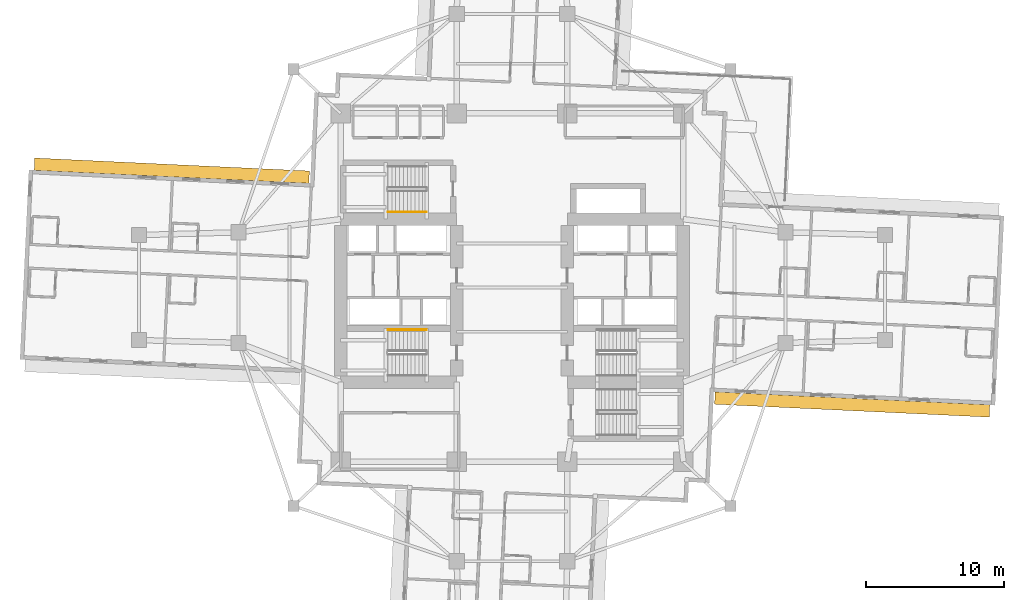
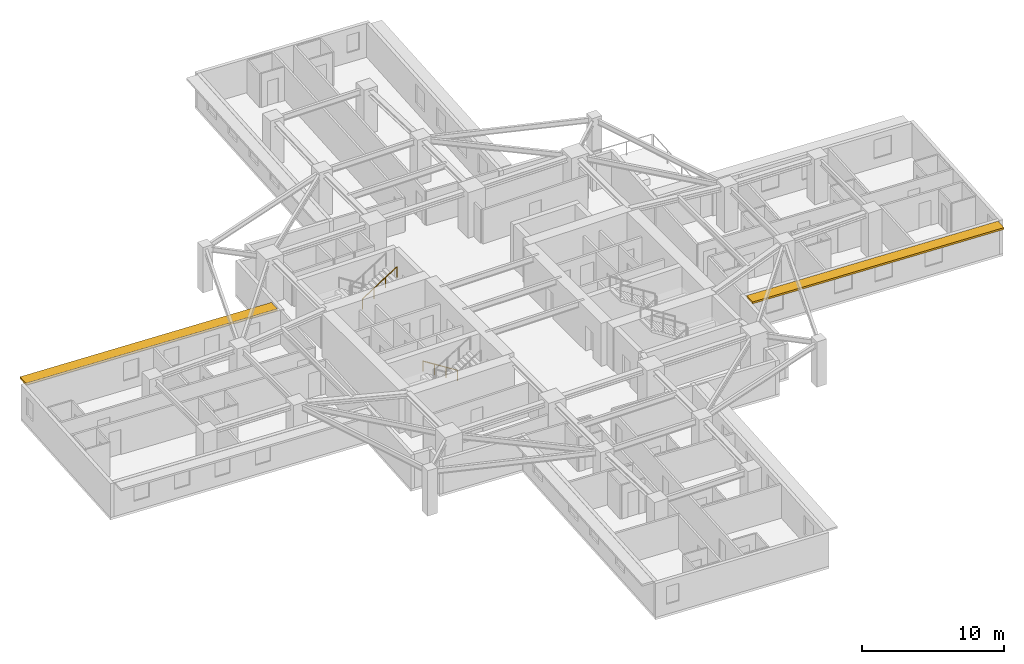
# One storey, part 12 of 14: 2 railings, 2 shading devices.
"""IFC4 building model written with IfcOpenShell, lengths in metres."""

from ifc_helpers import new_model, si_unit, direction, frame, origin, origin_2d, place, context, subcontext, project, spatial, rectangle, circle, extrude, material, layer, layer_set, type_object, element, save


model = new_model("IFC4")

# Units and contexts
model_context = context("Model", 3, precision=1e-05, world=origin(), true_north=direction((0.0, 1.0)))
body_context = subcontext(model_context, "Body", "Model", "MODEL_VIEW")
ifc_project = project(units=[si_unit("LENGTHUNIT", "METRE"), si_unit("AREAUNIT", "SQUARE_METRE"), si_unit("VOLUMEUNIT", "CUBIC_METRE"), si_unit("PLANEANGLEUNIT", "RADIAN"), si_unit("MASSUNIT", "GRAM", prefix="KILO")], contexts=[model_context])

# Site, building, storey
site_placement = place(None, origin())
site = spatial("IfcSite", under=ifc_project, at=site_placement, CompositionType="ELEMENT")
building_placement = place(site_placement, origin())
building = spatial("IfcBuilding", under=site, at=building_placement, Name="Qingluan Cross Belvedere", CompositionType="ELEMENT")
storey_placement = place(building_placement, frame((0.0, 0.0, 75.60009765625)))
storey = spatial("IfcBuildingStorey", under=building, at=storey_placement, Name="L19", CompositionType="ELEMENT", Elevation=75.60009765625)

# Shading devices
ifc_material_1 = material(Name="Precast concrete C45", Category="concrete")
ifc_layer = layer(ifc_material_1, 0.159912109375, Name="ConcreteSunshadeBand_900")
ifc_layer_set = layer_set([ifc_layer], Name="Precast concrete C45")
shading_device_type = type_object("IfcShadingDeviceType", Name="ConcreteSunshadeBand_900", PredefinedType="USERDEFINED", material=ifc_layer_set)
for number, where, z_axis, x_axis, name in (
    (1, (24.618896484375, -8.458984375, 2.72998046875), (0.0, 0.0, 1.0), (0.998889958255, -0.047104684445, 0.0), "Concrete SUNSHADE L19-EA"),
    (2, (-24.618896484375, 8.458984375, 2.72998046875), (0.0, 0.0, 1.0), (-0.998889958255, 0.047104684445, 0.0), "Concrete SUNSHADE L19-WA"),
):
    element("IfcShadingDevice", number, at=place(storey_placement, frame(where, z_axis=z_axis, x_axis=x_axis)), inside=storey, type_object=shading_device_type, Name=name, ObjectType="SUNSHADE", PredefinedType="USERDEFINED", context=body_context, shape_type="SweptSolid", body=[
        extrude(rectangle(XDim=19.89990234375, YDim=0.89990234375, at=origin_2d()), origin(), (0.0, 0.0, 1.0), 0.159912109375),
    ])

# Railings
ifc_material_2 = material(Name="Brushed stainless steel tubular handrail", Category="steel")
railing_type = type_object("IfcRailingType", Name="StairPitchHandrail_900", PredefinedType="HANDRAIL", material=ifc_material_2)
railing_1_placement = place(storey_placement, frame((-6.179931640625, -3.050048828125, 0.17724609375)))
element("IfcRailing", 3, at=railing_1_placement, inside=storey, type_object=railing_type, Name="L19 ST1 stair handrail 1", PredefinedType="HANDRAIL", context=body_context, shape_type="SweptSolid", body=[
    extrude(circle(Radius=0.02392578125, at=origin_2d()), frame((0.0, 0.0, 0.8759765625), z_axis=(-0.844908973607, 0.0, 0.534910110503), x_axis=(0.0, -1.0, 0.0)), (0.0, 0.0, 1.0), 3.31396484375),
    extrude(circle(Radius=0.02099609375, at=origin_2d()), origin(), (0.0, 0.0, 1.0), 0.851806640625),
    extrude(circle(Radius=0.02099609375, at=origin_2d()), frame((-0.933349609375, 0.0, 0.5908203125)), (0.0, 0.0, 1.0), 0.851806640625),
    extrude(circle(Radius=0.02099609375, at=origin_2d()), frame((-1.86669921875, 0.0, 1.181884765625)), (0.0, 0.0, 1.0), 0.851806640625),
    extrude(circle(Radius=0.02099609375, at=origin_2d()), frame((-2.800048828125, 0.0, 1.772705078125)), (0.0, 0.0, 1.0), 0.851806640625),
])
railing_2_placement = place(storey_placement, frame((-8.97998046875, 5.469970703125, 2.127197265625)))
element("IfcRailing", 4, at=railing_2_placement, inside=storey, type_object=railing_type, Name="L19 ST3 stair handrail 2", PredefinedType="HANDRAIL", context=body_context, shape_type="SweptSolid", body=[
    extrude(circle(Radius=0.02392578125, at=origin_2d()), frame((0.0, 0.0, 0.8759765625), z_axis=(0.844908973607, 0.0, 0.534910110503), x_axis=(0.0, 1.0, 0.0)), (0.0, 0.0, 1.0), 3.31396484375),
    extrude(circle(Radius=0.02099609375, at=origin_2d()), origin(), (0.0, 0.0, 1.0), 0.851806640625),
    extrude(circle(Radius=0.02099609375, at=origin_2d()), frame((0.933349609375, 0.0, 0.5908203125)), (0.0, 0.0, 1.0), 0.851806640625),
    extrude(circle(Radius=0.02099609375, at=origin_2d()), frame((1.86669921875, 0.0, 1.181884765625)), (0.0, 0.0, 1.0), 0.851806640625),
    extrude(circle(Radius=0.02099609375, at=origin_2d()), frame((2.800048828125, 0.0, 1.772705078125)), (0.0, 0.0, 1.0), 0.851806640625),
])

save(model, "model.ifc")
